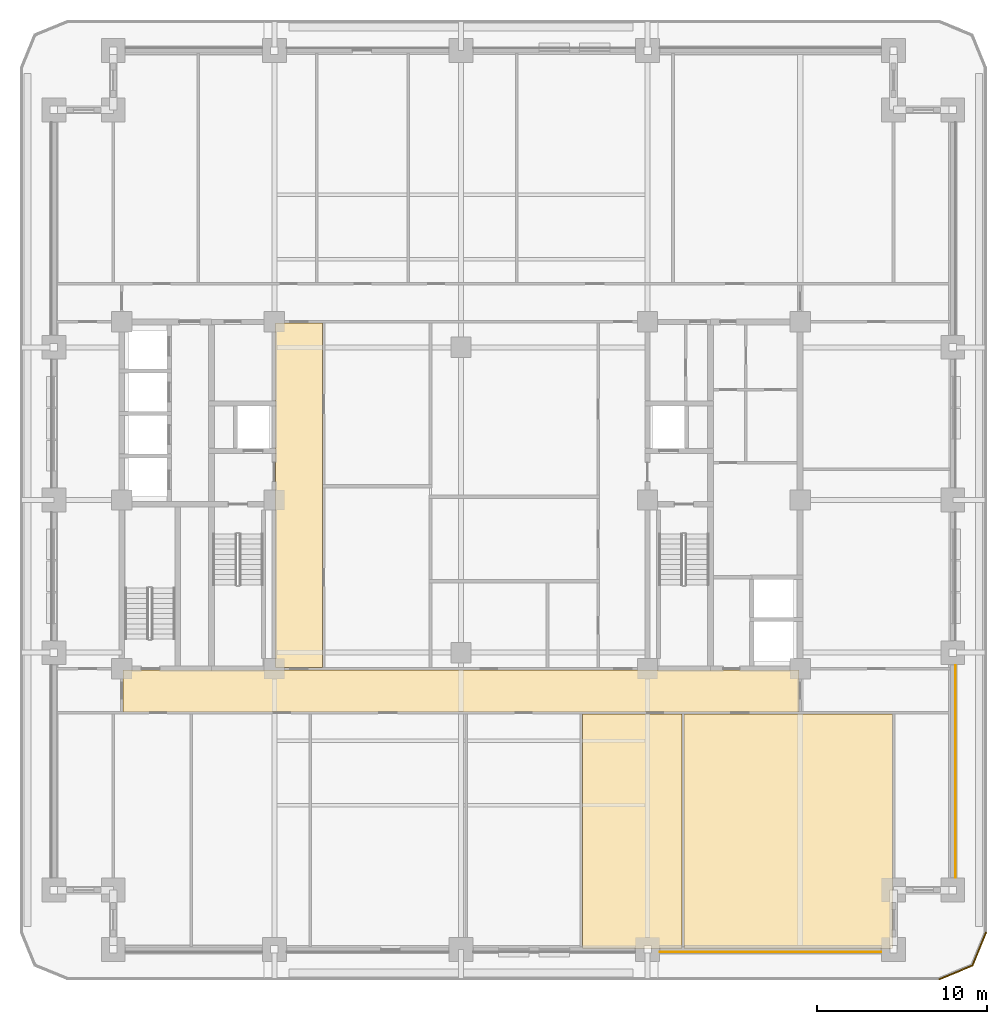
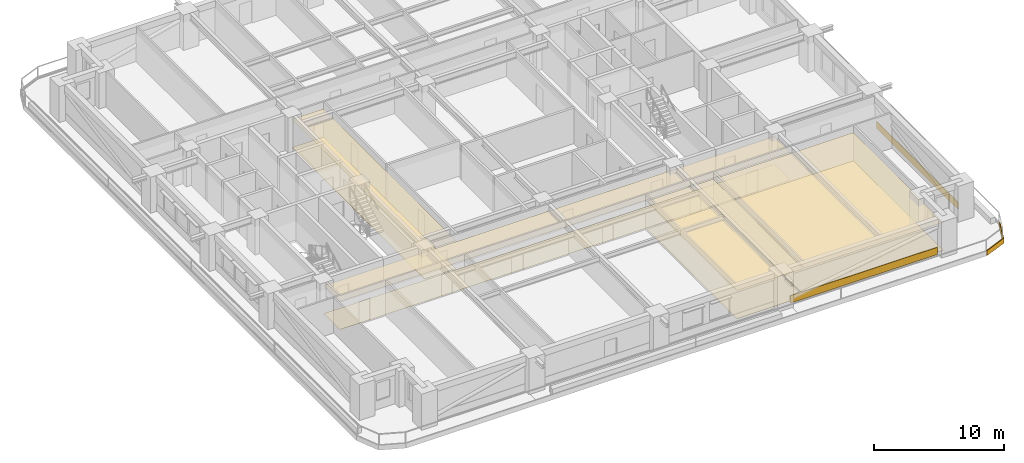
# One storey, part 12 of 15: 12 coverings.
"""IFC4 building model written with IfcOpenShell, lengths in metres."""

from ifc_helpers import new_model, si_unit, direction, frame, frame_2d, origin, place, context, subcontext, project, spatial, polyline, rectangle, outline, extrude, material, layer, layer_set, type_object, element, save


model = new_model("IFC4")

# Units and contexts
model_context = context("Model", 3, precision=1e-05, world=origin(), true_north=direction((0.0, 1.0)))
body_context = subcontext(model_context, "Body", "Model", "MODEL_VIEW")
ifc_project = project(units=[si_unit("LENGTHUNIT", "METRE"), si_unit("AREAUNIT", "SQUARE_METRE"), si_unit("VOLUMEUNIT", "CUBIC_METRE"), si_unit("PLANEANGLEUNIT", "RADIAN"), si_unit("MASSUNIT", "GRAM", prefix="KILO")], contexts=[model_context])

# Site, building, storey
site_placement = place(None, origin())
site = spatial("IfcSite", under=ifc_project, at=site_placement, CompositionType="ELEMENT")
building_placement = place(site_placement, origin())
building = spatial("IfcBuilding", under=site, at=building_placement, Name="Zulmaris Gate Convention Tower", CompositionType="ELEMENT")
storey_placement = place(building_placement, frame((0.0, 0.0, 37.909912109375)))
storey = spatial("IfcBuildingStorey", under=building, at=storey_placement, Name="L08", CompositionType="ELEMENT", Elevation=37.909912109375)

# Coverings
ifc_material_1 = material(Name="Precast concrete C40/50", Category="concrete")
ifc_layer_1 = layer(ifc_material_1, 0.0400390625, Name="Precast concrete C40/50")
ifc_layer_set_1 = layer_set([ifc_layer_1], Name="Precast concrete C40/50")
covering_type_1 = type_object("IfcCoveringType", Name="CLAD-SPANDREL-PRECAST", PredefinedType="CLADDING", material=ifc_layer_set_1)
covering_1_placement = place(storey_placement, frame((11.72998046875, -26.64990234375, 0.0), z_axis=(0.0, 0.0, 1.0), x_axis=(1.0, 0.0, 0.0)))
element("IfcCovering", 1, at=covering_1_placement, inside=storey, type_object=covering_type_1, Name="CLD-L08-S-3_0", PredefinedType="CLADDING", context=body_context, shape_type="SweptSolid", body=[
    extrude(rectangle(XDim=13.0400390625, YDim=0.0400390625, at=frame_2d((6.52001953125, 0.0))), origin(), (0.0, 0.0, 1.0), 0.679931640625),
])
covering_2_placement = place(storey_placement, frame((29.14990234375, -22.27001953125, 0.0), z_axis=(0.0, 0.0, 1.0), x_axis=(0.0, 1.0, 0.0)))
element("IfcCovering", 2, at=covering_2_placement, inside=storey, type_object=covering_type_1, Name="CLD-L08-E-0_0", PredefinedType="CLADDING", context=body_context, shape_type="SweptSolid", body=[
    extrude(rectangle(XDim=12.5400390625, YDim=0.0400390625, at=frame_2d((6.27001953125, 0.0))), origin(), (0.0, 0.0, 1.0), 0.679931640625),
])
ifc_material_2 = material(Name="White Glazed Architectural Precast Concrete C40/50", Category="concrete")
ifc_layer_2 = layer(ifc_material_2, 0.080078125, Name="White Glazed Architectural Precast Concrete C40/50")
ifc_layer_set_2 = layer_set([ifc_layer_2], Name="White Glazed Architectural Precast Concrete C40/50")
covering_type_2 = type_object("IfcCoveringType", Name="CLAD-TRAY-FASCIA", PredefinedType="CLADDING", material=ifc_layer_set_2)
covering_3_placement = place(storey_placement, frame((28.184814453125, -28.262939453125, -0.340087890625), z_axis=(0.0, 0.0, 1.0), x_axis=(0.923873803533, 0.382697263049, 0.0)))
element("IfcCovering", 3, at=covering_3_placement, inside=storey, type_object=covering_type_2, Name="FSC-L08-TR-03", PredefinedType="CLADDING", context=body_context, shape_type="SweptSolid", body=[
    extrude(rectangle(XDim=2.142822265625, YDim=0.080078125, at=frame_2d((1.0712890625, 0.0))), origin(), (0.0, 0.0, 1.0), 0.4599609375),
])
covering_4_placement = place(storey_placement, frame((30.142822265625, -27.464599609375, -0.340087890625), z_axis=(0.0, 0.0, 1.0), x_axis=(0.382656984709, 0.923890487046, 0.0)))
element("IfcCovering", 4, at=covering_4_placement, inside=storey, type_object=covering_type_2, Name="FSC-L08-TR-04", PredefinedType="CLADDING", context=body_context, shape_type="SweptSolid", body=[
    extrude(rectangle(XDim=2.14306640625, YDim=0.080078125, at=frame_2d((1.071533203125, 0.0))), origin(), (0.0, 0.0, 1.0), 0.4599609375),
])
ifc_material_3 = material(Name="Mineral Fibre Acoustic Ceiling Tile")
ifc_layer_3 = layer(ifc_material_3, 0.02001953125, Name="Mineral Fibre Acoustic Ceiling Tile")
ifc_layer_set_3 = layer_set([ifc_layer_3], Name="Mineral Fibre Acoustic Ceiling Tile")
covering_type_3 = type_object("IfcCoveringType", Name="CLG-ACOUSTIC-600", PredefinedType="CEILING", material=ifc_layer_set_3)
covering_5_placement = place(storey_placement, frame((0.0, 0.0, 2.628173828125)))
element("IfcCovering", 5, at=covering_5_placement, inside=storey, type_object=covering_type_3, Name="CLG-L08-R32", PredefinedType="CEILING", context=body_context, shape_type="SweptSolid", body=[
    extrude(outline(polyline([(-19.93994140625, -12.489990234375), (19.93994140625, -12.489990234375), (19.93994140625, -10.010009765625), (-19.93994140625, -10.010009765625), (-19.93994140625, -12.489990234375)])), origin(), (0.0, 0.0, 1.0), 0.02001953125),
])
covering_6_placement = place(storey_placement, frame((0.0, 0.0, 2.628173828125)))
element("IfcCovering", 6, at=covering_6_placement, inside=storey, type_object=covering_type_3, Name="CLG-L08-R33", PredefinedType="CEILING", context=body_context, shape_type="SweptSolid", body=[
    extrude(outline(polyline([(-10.93994140625, -9.889892578125), (-8.159912109375, -9.889892578125), (-8.159912109375, 10.43994140625), (-10.93994140625, 10.43994140625), (-10.93994140625, -9.889892578125)])), origin(), (0.0, 0.0, 1.0), 0.02001953125),
])
covering_7_placement = place(storey_placement, frame((0.0, 0.0, 2.628173828125)))
element("IfcCovering", 7, at=covering_7_placement, inside=storey, type_object=covering_type_3, Name="CLG-L08-R45", PredefinedType="CEILING", context=body_context, shape_type="SweptSolid", body=[
    extrude(outline(polyline([(7.159912109375, -26.43994140625), (13.0400390625, -26.43994140625), (13.0400390625, -12.610107421875), (7.159912109375, -12.610107421875), (7.159912109375, -26.43994140625)])), origin(), (0.0, 0.0, 1.0), 0.02001953125),
])
covering_8_placement = place(storey_placement, frame((0.0, 0.0, 2.628173828125)))
element("IfcCovering", 8, at=covering_8_placement, inside=storey, type_object=covering_type_3, Name="CLG-L08-R46", PredefinedType="CEILING", context=body_context, shape_type="SweptSolid", body=[
    extrude(outline(polyline([(13.159912109375, -26.43994140625), (25.43994140625, -26.43994140625), (25.43994140625, -12.610107421875), (13.159912109375, -12.610107421875), (13.159912109375, -26.43994140625)])), origin(), (0.0, 0.0, 1.0), 0.02001953125),
])
ifc_material_4 = material(Name="Woven Acoustic Wool Carpet Tile")
ifc_layer_4 = layer(ifc_material_4, 0.02001953125, Name="Woven Acoustic Wool Carpet Tile")
ifc_layer_set_4 = layer_set([ifc_layer_4], Name="Woven Acoustic Wool Carpet Tile")
covering_type_4 = type_object("IfcCoveringType", Name="FLR-CARPET-12", PredefinedType="FLOORING", material=ifc_layer_set_4)
covering_9_placement = place(storey_placement, origin())
element("IfcCovering", 9, at=covering_9_placement, inside=storey, type_object=covering_type_4, Name="FLR-L08-R32", PredefinedType="FLOORING", context=body_context, shape_type="SweptSolid", body=[
    extrude(outline(polyline([(-19.93994140625, -12.489990234375), (19.93994140625, -12.489990234375), (19.93994140625, -10.010009765625), (-19.93994140625, -10.010009765625), (-19.93994140625, -12.489990234375)])), origin(), (0.0, 0.0, 1.0), 0.02001953125),
])
covering_10_placement = place(storey_placement, origin())
element("IfcCovering", 10, at=covering_10_placement, inside=storey, type_object=covering_type_4, Name="FLR-L08-R33", PredefinedType="FLOORING", context=body_context, shape_type="SweptSolid", body=[
    extrude(outline(polyline([(-10.93994140625, -9.889892578125), (-8.159912109375, -9.889892578125), (-8.159912109375, 10.43994140625), (-10.93994140625, 10.43994140625), (-10.93994140625, -9.889892578125)])), origin(), (0.0, 0.0, 1.0), 0.02001953125),
])
covering_11_placement = place(storey_placement, origin())
element("IfcCovering", 11, at=covering_11_placement, inside=storey, type_object=covering_type_4, Name="FLR-L08-R45", PredefinedType="FLOORING", context=body_context, shape_type="SweptSolid", body=[
    extrude(outline(polyline([(7.159912109375, -26.43994140625), (13.0400390625, -26.43994140625), (13.0400390625, -12.610107421875), (7.159912109375, -12.610107421875), (7.159912109375, -26.43994140625)])), origin(), (0.0, 0.0, 1.0), 0.02001953125),
])
covering_12_placement = place(storey_placement, origin())
element("IfcCovering", 12, at=covering_12_placement, inside=storey, type_object=covering_type_4, Name="FLR-L08-R46", PredefinedType="FLOORING", context=body_context, shape_type="SweptSolid", body=[
    extrude(outline(polyline([(13.159912109375, -26.43994140625), (25.43994140625, -26.43994140625), (25.43994140625, -12.610107421875), (13.159912109375, -12.610107421875), (13.159912109375, -26.43994140625)])), origin(), (0.0, 0.0, 1.0), 0.02001953125),
])

save(model, "model.ifc")
